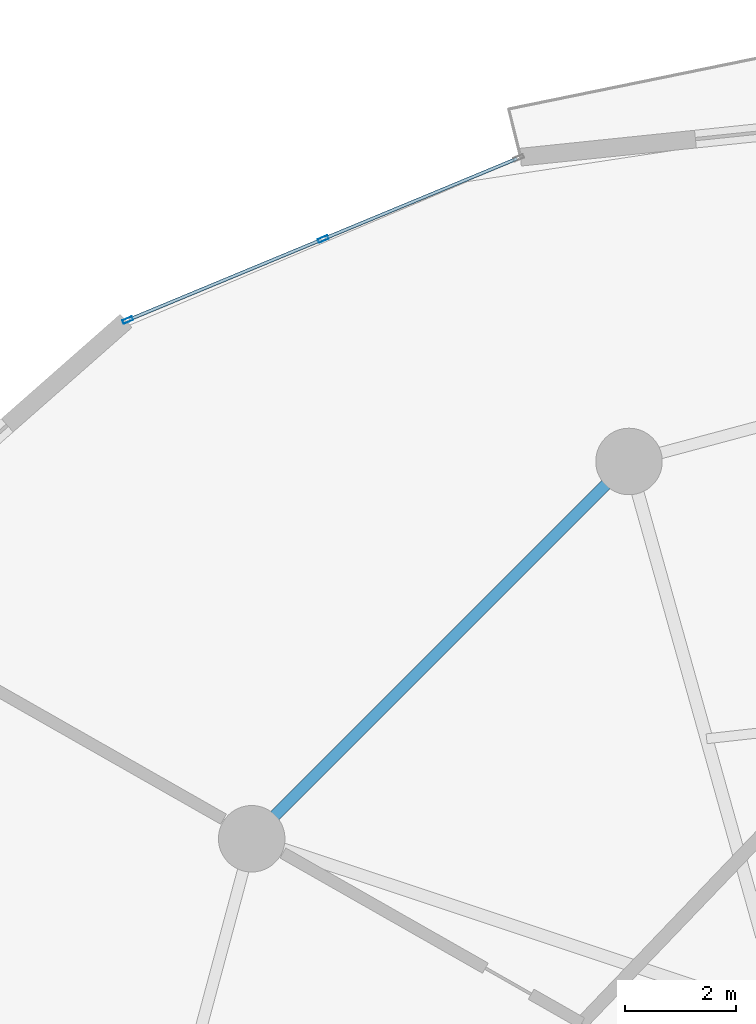
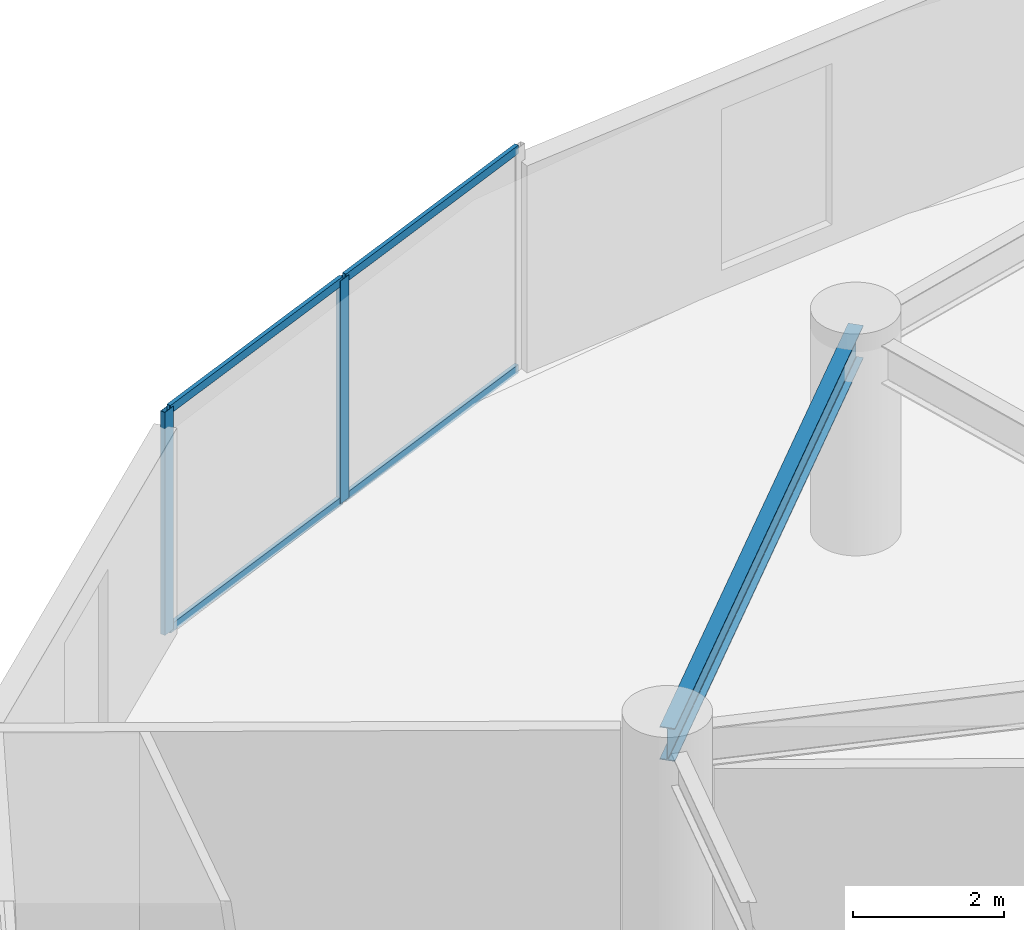
# One storey, part 14 of 26: 6 members, 1 beam, 1 element without a shape of its own.
"""IFC4 building model written with IfcOpenShell, lengths in metres."""

from ifc_helpers import new_model, si_unit, direction, frame, origin, origin_2d, place, context, subcontext, project, spatial, hollow_rectangle, i_section, extrude, source, transform, mapped, material, layer, layer_set, material_profile, profile_set, type_object, element, aggregate, save


model = new_model("IFC4")

# Units and contexts
model_context = context("Model", 3, precision=1e-05, world=origin(), true_north=direction((0.0, 1.0)))
body_context = subcontext(model_context, "Body", "Model", "MODEL_VIEW")
ifc_project = project(units=[si_unit("LENGTHUNIT", "METRE"), si_unit("AREAUNIT", "SQUARE_METRE"), si_unit("VOLUMEUNIT", "CUBIC_METRE"), si_unit("PLANEANGLEUNIT", "RADIAN"), si_unit("MASSUNIT", "GRAM", prefix="KILO")], contexts=[model_context])

# Site, building, storey
site_placement = place(None, origin())
site = spatial("IfcSite", under=ifc_project, at=site_placement, CompositionType="ELEMENT")
building_placement = place(site_placement, origin())
building = spatial("IfcBuilding", under=site, at=building_placement, Name="Solvirekh Grand Hotel", CompositionType="ELEMENT")
storey_placement = place(building_placement, frame((0.0, 0.0, 64.39990234375)))
storey = spatial("IfcBuildingStorey", under=building, at=storey_placement, Name="L15", CompositionType="ELEMENT", Elevation=64.39990234375)

# Beam
ifc_material_1 = material(Name="Steel S355", Category="steel")
ifc_material_profile_1 = material_profile(ifc_material_1, i_section(OverallWidth=0.208984375, OverallDepth=0.532958984375, WebThickness=0.010009765625, FlangeThickness=0.014892578125, FilletRadius=0.013916015625, at=origin_2d()), Name="W530X92")
ifc_profile_set_1 = profile_set([ifc_material_profile_1], Name="Steel S355")
beam_type = type_object("IfcBeamType", Name="Spandrel_Ring_W530", PredefinedType="SPANDREL", material=ifc_profile_set_1)
beam_placement = place(storey_placement, frame((-9.300048828125, 16.10791015625, 3.07421875), z_axis=(-0.707106781187, -0.707106781187, 0.0), x_axis=(0.707106781187, -0.707106781187, 0.0)))
element("IfcBeam", 1, at=beam_placement, inside=storey, type_object=beam_type, Name="L15 perimeter spandrel beam 5", PredefinedType="SPANDREL", context=body_context, shape_type="SweptSolid", body=[
    extrude(i_section(OverallWidth=0.208984375, OverallDepth=0.532958984375, WebThickness=0.010009765625, FlangeThickness=0.014892578125, FilletRadius=0.013916015625, at=origin_2d()), origin(), (0.0, 0.0, 1.0), 9.627685546875),
])

# Curtain wall, members
ifc_material_2 = material(Name="Anodized Bronze Aluminium 6063-T6", Category="aluminium")
ifc_layer = layer(ifc_material_2, 0.18994140625)
ifc_layer_set = layer_set([ifc_layer], Name="Anodized Bronze Aluminium 6063-T6")
curtain_wall_type = type_object("IfcCurtainWallType", Name="CW_Sys2_LowZoneFlushBronzeCW", PredefinedType="NOTDEFINED", material=ifc_layer_set)
curtain_wall_placement = place(storey_placement, origin())
curtain_wall = element("IfcCurtainWall", 2, at=curtain_wall_placement, inside=storey, type_object=curtain_wall_type, Name="L15 unitised bronze-glass curtain wall CW-L15-C08", PredefinedType="NOTDEFINED")
ifc_material_profile_2 = material_profile(ifc_material_2, hollow_rectangle(XDim=0.070068359375, YDim=0.18994140625, WallThickness=0.0048828125, at=origin_2d()), Name="ALU RHS 190X70X5")
ifc_profile_set_2 = profile_set([ifc_material_profile_2], Name="Anodized Bronze Aluminium 6063-T6")
member_type_1 = type_object("IfcMemberType", Name="CWMullion_Sys2", PredefinedType="MULLION", material=ifc_profile_set_2)
shared_shape_1 = source(origin(), body_context, "Body", "SweptSolid", [
    extrude(hollow_rectangle(XDim=0.070068359375, YDim=0.18994140625, WallThickness=0.0048828125, at=origin_2d()), origin(), (0.0, 0.0, 1.0), 3.60009765625),
])
member_1_placement = place(storey_placement, frame((-14.8173828125, 20.12158203125, 0.0), z_axis=(0.0, 0.0, 1.0), x_axis=(0.383241896503, -0.923648011293, 0.0)))
member_1 = element("IfcMember", 3, at=member_1_placement, type_object=member_type_1, Name="U02 mullion 2", PredefinedType="MULLION", context=body_context, shape_type="MappedRepresentation", body=[
    mapped(shared_shape_1, transform((0.0, 0.0, 0.0), x_axis=(1.0, 0.0, 0.0), y_axis=(0.0, 1.0, 0.0), z_axis=(0.0, 0.0, 1.0), scale=1.0)),
])
member_2_placement = place(storey_placement, frame((-18.34375, 18.658447265625, 0.0), z_axis=(0.0, 0.0, 1.0), x_axis=(0.383241896503, -0.923648011293, 0.0)))
member_2 = element("IfcMember", 4, at=member_2_placement, type_object=member_type_1, Name="U02 mullion 3", PredefinedType="MULLION", context=body_context, shape_type="MappedRepresentation", body=[
    mapped(shared_shape_1, transform((0.0, 0.0, 0.0), x_axis=(1.0, 0.0, 0.0), y_axis=(0.0, 1.0, 0.0), z_axis=(0.0, 0.0, 1.0), scale=1.0)),
])
ifc_material_profile_3 = material_profile(ifc_material_2, hollow_rectangle(XDim=0.06005859375, YDim=0.135009765625, WallThickness=0.00390625, at=origin_2d()), Name="ALU RHS 135X60X4")
ifc_profile_set_3 = profile_set([ifc_material_profile_3], Name="Anodized Bronze Aluminium 6063-T6")
member_type_2 = type_object("IfcMemberType", Name="CWTransom_Sys2", PredefinedType="USERDEFINED", material=ifc_profile_set_3)
shared_shape_2 = source(origin(), body_context, "Body", "SweptSolid", [
    extrude(hollow_rectangle(XDim=0.06005859375, YDim=0.135009765625, WallThickness=0.00390625, at=origin_2d()), origin(), (0.0, 0.0, 1.0), 3.74755859375),
])
member_3_placement = place(storey_placement, frame((-11.32373046875, 21.5712890625, 0.030029296875), z_axis=(-0.923642577392, -0.383254992439, 0.0), x_axis=(0.383254992439, -0.923642577392, 0.0)))
member_3 = element("IfcMember", 5, at=member_3_placement, type_object=member_type_2, Name="U02 transom 1.1", ObjectType="TRANSOM", PredefinedType="USERDEFINED", context=body_context, shape_type="MappedRepresentation", body=[
    mapped(shared_shape_2, transform((0.0, 0.0, 0.0), x_axis=(1.0, 0.0, 0.0), y_axis=(0.0, 1.0, 0.0), z_axis=(0.0, 0.0, 1.0), scale=1.0)),
])
member_4_placement = place(storey_placement, frame((-11.32373046875, 21.5712890625, 3.570068359375), z_axis=(-0.923642577392, -0.383254992439, 0.0), x_axis=(0.383254992439, -0.923642577392, 0.0)))
member_4 = element("IfcMember", 6, at=member_4_placement, type_object=member_type_2, Name="U02 transom 1.2", ObjectType="TRANSOM", PredefinedType="USERDEFINED", context=body_context, shape_type="MappedRepresentation", body=[
    mapped(shared_shape_2, transform((0.0, 0.0, 0.0), x_axis=(1.0, 0.0, 0.0), y_axis=(0.0, 1.0, 0.0), z_axis=(0.0, 0.0, 1.0), scale=1.0)),
])
member_5_placement = place(storey_placement, frame((-14.849853515625, 20.108154296875, 0.030029296875), z_axis=(-0.923642577392, -0.383254992439, 0.0), x_axis=(0.383254992439, -0.923642577392, 0.0)))
member_5 = element("IfcMember", 7, at=member_5_placement, type_object=member_type_2, Name="U02 transom 2.1", ObjectType="TRANSOM", PredefinedType="USERDEFINED", context=body_context, shape_type="MappedRepresentation", body=[
    mapped(shared_shape_2, transform((0.0, 0.0, 0.0), x_axis=(1.0, 0.0, 0.0), y_axis=(0.0, 1.0, 0.0), z_axis=(0.0, 0.0, 1.0), scale=1.0)),
])
member_6_placement = place(storey_placement, frame((-14.849853515625, 20.108154296875, 3.570068359375), z_axis=(-0.923642577392, -0.383254992439, 0.0), x_axis=(0.383254992439, -0.923642577392, 0.0)))
member_6 = element("IfcMember", 8, at=member_6_placement, type_object=member_type_2, Name="U02 transom 2.2", ObjectType="TRANSOM", PredefinedType="USERDEFINED", context=body_context, shape_type="MappedRepresentation", body=[
    mapped(shared_shape_2, transform((0.0, 0.0, 0.0), x_axis=(1.0, 0.0, 0.0), y_axis=(0.0, 1.0, 0.0), z_axis=(0.0, 0.0, 1.0), scale=1.0)),
])
aggregate(curtain_wall, [member_1, member_2, member_3, member_4, member_5, member_6])

save(model, "model.ifc")
